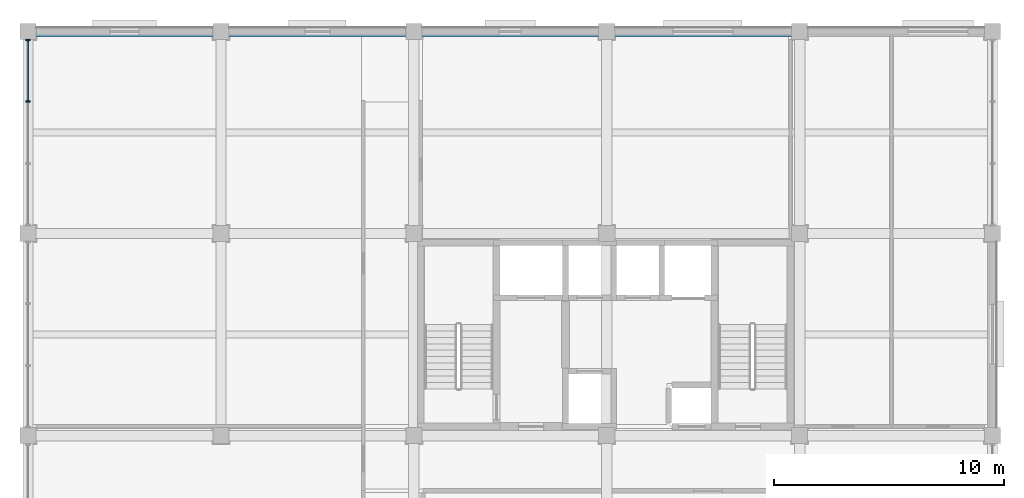
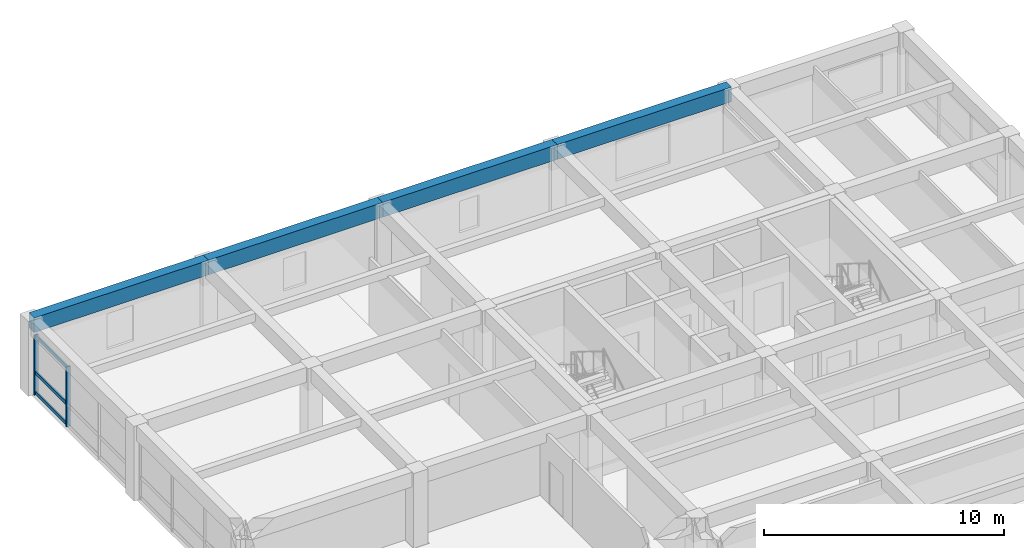
# One storey, part 6 of 13: 5 members, 4 beams, 1 element without a shape of its own.
"""IFC4 building model written with IfcOpenShell, lengths in metres."""

from ifc_helpers import new_model, si_unit, direction, frame, origin, origin_2d, place, context, subcontext, project, spatial, rectangle, extrude, material, material_profile, profile_set, type_object, element, aggregate, save


model = new_model("IFC4")

# Units and contexts
model_context = context("Model", 3, precision=1e-05, world=origin(), true_north=direction((0.0, 1.0)))
body_context = subcontext(model_context, "Body", "Model", "MODEL_VIEW")
ifc_project = project(units=[si_unit("LENGTHUNIT", "METRE"), si_unit("AREAUNIT", "SQUARE_METRE"), si_unit("VOLUMEUNIT", "CUBIC_METRE"), si_unit("PLANEANGLEUNIT", "RADIAN"), si_unit("MASSUNIT", "GRAM", prefix="KILO")], contexts=[model_context])

# Site, building, storey
site_placement = place(None, origin())
site = spatial("IfcSite", under=ifc_project, at=site_placement, CompositionType="ELEMENT")
building_placement = place(site_placement, origin())
building = spatial("IfcBuilding", under=site, at=building_placement, Name="Kemercrest Conservatory and Botanical Centre", CompositionType="ELEMENT")
storey_placement = place(building_placement, frame((0.0, 0.0, 36.800048828125)))
storey = spatial("IfcBuildingStorey", under=building, at=storey_placement, Name="L09", CompositionType="ELEMENT", Elevation=36.800048828125)

# Curtain wall, members
ifc_material_1 = material(Name="Thermally broken aluminium and triple low-e glazing", Category="aluminium")
curtain_wall_type = type_object("IfcCurtainWallType", Name="CW-18", PredefinedType="USERDEFINED", material=ifc_material_1)
curtain_wall_placement = place(storey_placement, origin())
curtain_wall = element("IfcCurtainWall", 1, at=curtain_wall_placement, inside=storey, type_object=curtain_wall_type, Name="Unitised curtain wall CW-18 (CW:L09:V4-107)", ObjectType="UNITISED CURTAIN WALL", PredefinedType="USERDEFINED")
ifc_material_2 = material(Name="Thermally broken anodized aluminium 6063-T6", Category="aluminium")
ifc_material_profile_1 = material_profile(ifc_material_2, rectangle(XDim=0.199951171875, YDim=0.06494140625, at=origin_2d()), Name="AL MULLION 65x200")
ifc_profile_set_1 = profile_set([ifc_material_profile_1], Name="Thermally broken anodized aluminium 6063-T6")
member_type_1 = type_object("IfcMemberType", Name="CW-M200", PredefinedType="MULLION", material=ifc_profile_set_1)
member_1_placement = place(storey_placement, frame((134.0, 122.0224609375, 0.0), z_axis=(0.0, 0.0, 1.0), x_axis=(1.0, 0.0, 0.0)))
member_1 = element("IfcMember", 2, at=member_1_placement, type_object=member_type_1, Name="CW-18 mullion 1", PredefinedType="MULLION", context=body_context, shape_type="SweptSolid", body=[
    extrude(rectangle(XDim=0.199951171875, YDim=0.06494140625, at=origin_2d()), origin(), (0.0, 0.0, 1.0), 3.054931640625),
])
member_2_placement = place(storey_placement, frame((134.0, 119.3515625, 0.0), z_axis=(0.0, 0.0, 1.0), x_axis=(1.0, 0.0, 0.0)))
member_2 = element("IfcMember", 3, at=member_2_placement, type_object=member_type_1, Name="CW-18 mullion 2", PredefinedType="MULLION", context=body_context, shape_type="SweptSolid", body=[
    extrude(rectangle(XDim=0.199951171875, YDim=0.06494140625, at=origin_2d()), origin(), (0.0, 0.0, 1.0), 3.054931640625),
])
ifc_material_profile_2 = material_profile(ifc_material_2, rectangle(XDim=0.074951171875, YDim=0.179931640625, at=origin_2d()), Name="AL TRANSOM 75x180")
ifc_profile_set_2 = profile_set([ifc_material_profile_2], Name="Thermally broken anodized aluminium 6063-T6")
member_type_2 = type_object("IfcMemberType", Name="CW-T180", PredefinedType="USERDEFINED", material=ifc_profile_set_2)
member_3_placement = place(storey_placement, frame((134.0, 121.989990234375, 0.08984375), z_axis=(0.0, -1.0, 0.0), x_axis=(1.0, 0.0, 0.0)))
member_3 = element("IfcMember", 4, at=member_3_placement, type_object=member_type_2, Name="CW-18 transom 1.1", ObjectType="TRANSOM", PredefinedType="USERDEFINED", context=body_context, shape_type="SweptSolid", body=[
    extrude(rectangle(XDim=0.074951171875, YDim=0.179931640625, at=origin_2d()), origin(), (0.0, 0.0, 1.0), 2.605712890625),
])
member_4_placement = place(storey_placement, frame((134.0, 121.989990234375, 1.119873046875), z_axis=(0.0, -1.0, 0.0), x_axis=(1.0, 0.0, 0.0)))
member_4 = element("IfcMember", 5, at=member_4_placement, type_object=member_type_2, Name="CW-18 transom 1.2", ObjectType="TRANSOM", PredefinedType="USERDEFINED", context=body_context, shape_type="SweptSolid", body=[
    extrude(rectangle(XDim=0.074951171875, YDim=0.179931640625, at=origin_2d()), origin(), (0.0, 0.0, 1.0), 2.605712890625),
])
member_5_placement = place(storey_placement, frame((134.0, 121.989990234375, 2.96484375), z_axis=(0.0, -1.0, 0.0), x_axis=(1.0, 0.0, 0.0)))
member_5 = element("IfcMember", 6, at=member_5_placement, type_object=member_type_2, Name="CW-18 transom 1.3", ObjectType="TRANSOM", PredefinedType="USERDEFINED", context=body_context, shape_type="SweptSolid", body=[
    extrude(rectangle(XDim=0.074951171875, YDim=0.179931640625, at=origin_2d()), origin(), (0.0, 0.0, 1.0), 2.605712890625),
])
aggregate(curtain_wall, [member_1, member_2, member_3, member_4, member_5])

# Beams
ifc_material_3 = material(Name="Concrete C40/50", Category="concrete")
ifc_material_profile_3 = material_profile(ifc_material_3, rectangle(XDim=0.449951171875, YDim=0.75, at=origin_2d()), Name="RC 450x750")
ifc_profile_set_3 = profile_set([ifc_material_profile_3], Name="Concrete C40/50")
beam_type = type_object("IfcBeamType", Name="SP-RC75", PredefinedType="SPANDREL", material=ifc_profile_set_3)
beam_1_placement = place(storey_placement, frame((134.0, 122.39990234375, 3.425048828125), z_axis=(1.0, 0.0, 0.0), x_axis=(0.0, 1.0, 0.0)))
element("IfcBeam", 7, at=beam_1_placement, inside=storey, type_object=beam_type, Name="V4-L10 beam SP-RC75 P/16-17", PredefinedType="SPANDREL", context=body_context, shape_type="SweptSolid", body=[
    extrude(rectangle(XDim=0.449951171875, YDim=0.75, at=origin_2d()), origin(), (0.0, 0.0, 1.0), 8.39990234375),
])
beam_2_placement = place(storey_placement, frame((142.39990234375, 122.39990234375, 3.425048828125), z_axis=(1.0, 0.0, 0.0), x_axis=(0.0, 1.0, 0.0)))
element("IfcBeam", 8, at=beam_2_placement, inside=storey, type_object=beam_type, Name="V4-L10 beam SP-RC75 P/17-18", PredefinedType="SPANDREL", context=body_context, shape_type="SweptSolid", body=[
    extrude(rectangle(XDim=0.449951171875, YDim=0.75, at=origin_2d()), origin(), (0.0, 0.0, 1.0), 8.400146484375),
])
beam_3_placement = place(storey_placement, frame((150.800048828125, 122.39990234375, 3.425048828125), z_axis=(1.0, 0.0, 0.0), x_axis=(0.0, 1.0, 0.0)))
element("IfcBeam", 9, at=beam_3_placement, inside=storey, type_object=beam_type, Name="V4-L10 beam SP-RC75 P/18-19", PredefinedType="SPANDREL", context=body_context, shape_type="SweptSolid", body=[
    extrude(rectangle(XDim=0.449951171875, YDim=0.75, at=origin_2d()), origin(), (0.0, 0.0, 1.0), 8.39990234375),
])
beam_4_placement = place(storey_placement, frame((159.199951171875, 122.39990234375, 3.425048828125), z_axis=(1.0, 0.0, 0.0), x_axis=(0.0, 1.0, 0.0)))
element("IfcBeam", 10, at=beam_4_placement, inside=storey, type_object=beam_type, Name="V4-L10 beam SP-RC75 P/19-20", PredefinedType="SPANDREL", context=body_context, shape_type="SweptSolid", body=[
    extrude(rectangle(XDim=0.449951171875, YDim=0.75, at=origin_2d()), origin(), (0.0, 0.0, 1.0), 8.400146484375),
])

save(model, "model.ifc")
